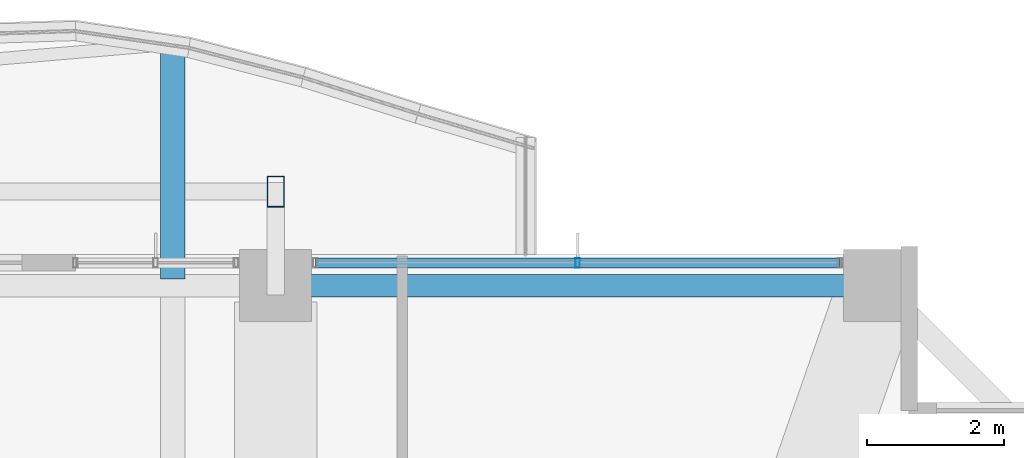
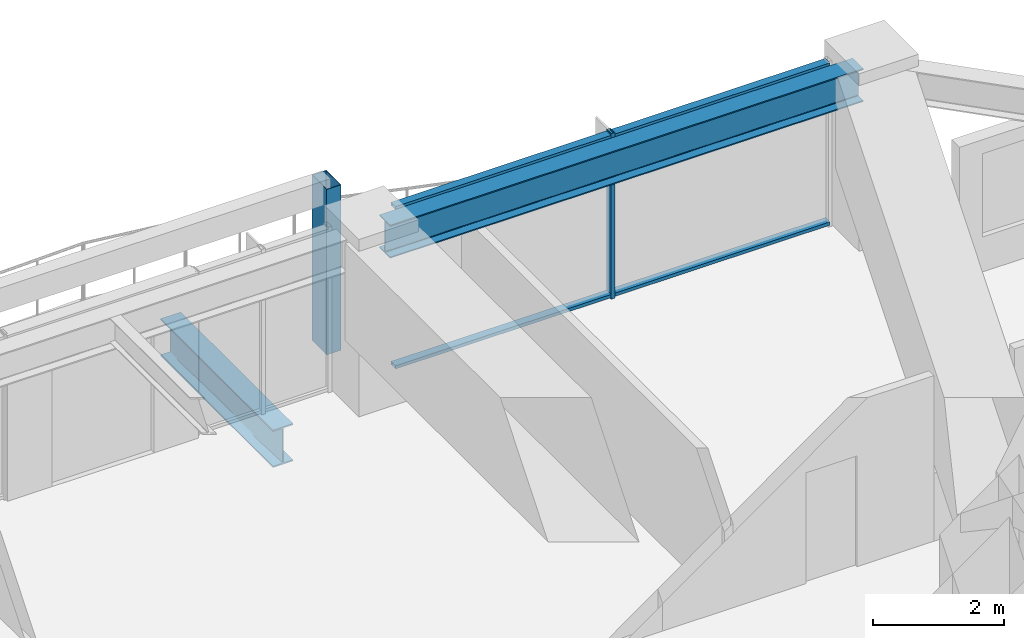
# One storey, part 24 of 39: 4 members, 2 beams, 1 element without a shape of its own.
"""IFC4 building model written with IfcOpenShell, lengths in metres."""

import ifcopenshell
import ifcopenshell.guid

model = None  # the IFC model being written
_history = None  # IfcOwnerHistory: only IFC2X3 demands one
_inside = {}  # id of a spatial element -> (the spatial element, [elements in it])
_under = {}  # id of a project, library or spatial element -> (it, [spatial elements below it])
_declared = {}  # id of a project -> (the project, [libraries it declares])
_typed = {}  # id of a type object -> (the type object, [elements of that type])
_made_of = {}  # id of a material, layer set ... -> (it, [elements and type objects made of it])


def new_model(schema):
    """Start an empty IFC model of exactly this schema.

    Asked for "IFC4X3", IfcOpenShell would pick the latest addendum, in which some entities
    have other attributes; the version numbers below select the first issue.
    IFC2X3 requires an IfcOwnerHistory on every rooted entity: one is made here for all.
    """
    global model, _history
    if schema == "IFC4X3":
        model = ifcopenshell.file(schema_version=(4, 3, 0, 0))
    else:
        model = ifcopenshell.file(schema=schema)
    _inside.clear()
    _under.clear()
    _declared.clear()
    _typed.clear()
    _made_of.clear()
    _history = None
    if model.schema == "IFC2X3":
        org = make("IfcOrganization", Name="unknown")
        user = make(
            "IfcPersonAndOrganization",
            ThePerson=make("IfcPerson", FamilyName="unknown"),
            TheOrganization=org,
        )
        app = make(
            "IfcApplication",
            ApplicationDeveloper=org,
            Version="unknown",
            ApplicationFullName="unknown",
            ApplicationIdentifier="unknown",
        )
        _history = make(
            "IfcOwnerHistory",
            OwningUser=user,
            OwningApplication=app,
            ChangeAction="ADDED",
            CreationDate=0,
        )
    return model


def make(cls, **values):
    """One entity of the class cls with the attributes given. An attribute that is None is left unset."""
    return model.create_entity(
        cls, **{name: value for name, value in values.items() if value is not None}
    )


def rooted(cls, **values):
    """An entity with a GlobalId (a new one), such as an element, a storey or a relation."""
    return make(cls, GlobalId=ifcopenshell.guid.new(), OwnerHistory=_history, **values)


def si_unit(unit_type, name, prefix=None):
    """IfcSIUnit, for example si_unit("LENGTHUNIT", "METRE", prefix="MILLI")."""
    return make("IfcSIUnit", UnitType=unit_type, Prefix=prefix, Name=name)


def assignment(units):
    """IfcUnitAssignment: the units of a project."""
    return None if units is None else make("IfcUnitAssignment", Units=units)


def point(xyz):
    """IfcCartesianPoint."""
    return None if xyz is None else make("IfcCartesianPoint", Coordinates=xyz)


def direction(xyz):
    """IfcDirection."""
    return None if xyz is None else make("IfcDirection", DirectionRatios=xyz)


def frame(location, z_axis=None, x_axis=None):
    """IfcAxis2Placement3D, a coordinate frame: its origin and axes. An axis left out is left unset."""
    return make(
        "IfcAxis2Placement3D",
        Location=point(location),
        Axis=direction(z_axis),
        RefDirection=direction(x_axis),
    )


def frame_2d(location, x_axis=None):
    """IfcAxis2Placement2D, a coordinate frame in the plane: its origin and x axis."""
    return make(
        "IfcAxis2Placement2D", Location=point(location), RefDirection=direction(x_axis)
    )


def origin():
    """The frame at (0, 0, 0) with its axes left unset."""
    return frame((0.0, 0.0, 0.0))


def origin_2d():
    """The frame at (0, 0) in the plane with its x axis left unset."""
    return frame_2d((0.0, 0.0))


def place(relative_to, where):
    """IfcLocalPlacement: puts the frame where relative to a parent placement (None: the world)."""
    return make(
        "IfcLocalPlacement", PlacementRelTo=relative_to, RelativePlacement=where
    )


def context(
    kind, dimensions, precision=None, world=None, true_north=None, identifier=None
):
    """IfcGeometricRepresentationContext, for example the 3D "Model" context."""
    return make(
        "IfcGeometricRepresentationContext",
        ContextIdentifier=identifier,
        ContextType=kind,
        CoordinateSpaceDimension=dimensions,
        Precision=precision,
        WorldCoordinateSystem=world,
        TrueNorth=true_north,
    )


def subcontext(parent, identifier, kind, view, scale=None):
    """IfcGeometricRepresentationSubContext, for example "Body" below "Model"."""
    return make(
        "IfcGeometricRepresentationSubContext",
        ContextIdentifier=identifier,
        ContextType=kind,
        ParentContext=parent,
        TargetScale=scale,
        TargetView=view,
    )


def project(units=None, contexts=None):
    """IfcProject with its units and contexts."""
    return rooted(
        "IfcProject",
        Name="project",
        RepresentationContexts=contexts,
        UnitsInContext=assignment(units),
    )


def spatial(cls, under=None, at=None, **own):
    """A site, building, storey or space (cls), placed at a placement, below another one or the project."""
    s = rooted(cls, ObjectPlacement=at, **own)
    if under is not None:
        _under.setdefault(under.id(), (under, []))[1].append(s)
    return s


def profile(cls, at=None, kind="AREA", **sizes):
    """A parametric profile (cls). Its sizes go by their IFC names, for example OverallWidth=200.0."""
    return make(cls, ProfileType=kind, Position=at, **sizes)


def hollow_rectangle(**sizes):
    """IfcRectangleHollowProfileDef."""
    return profile("IfcRectangleHollowProfileDef", **sizes)


def i_section(**sizes):
    """IfcIShapeProfileDef."""
    return profile("IfcIShapeProfileDef", **sizes)


def extrude(swept, where, along, depth):
    """IfcExtrudedAreaSolid: the profile swept, set in the frame where, extruded along a direction by depth."""
    return make(
        "IfcExtrudedAreaSolid",
        SweptArea=swept,
        Position=where,
        ExtrudedDirection=direction(along),
        Depth=depth,
    )


def shape(context_of_items, identifier, shape_type, items):
    """IfcShapeRepresentation: the items that make up one representation, for example the "Body"."""
    return make(
        "IfcShapeRepresentation",
        ContextOfItems=context_of_items,
        RepresentationIdentifier=identifier,
        RepresentationType=shape_type,
        Items=items,
    )


def material(Name=None, Category=None):
    """IfcMaterial."""
    return make("IfcMaterial", Name=Name, Category=Category)


def material_profile(
    of_material, cross_section, Name=None, Category=None, Priority=None
):
    """IfcMaterialProfile: a cross section and its material."""
    return make(
        "IfcMaterialProfile",
        Name=Name,
        Material=of_material,
        Profile=cross_section,
        Priority=Priority,
        Category=Category,
    )


def profile_set(profiles, Name=None, composite=None):
    """IfcMaterialProfileSet."""
    return make(
        "IfcMaterialProfileSet",
        Name=Name,
        MaterialProfiles=profiles,
        CompositeProfile=composite,
    )


def made_of(thing, what):
    """Note that an element or type object is made of a material, layer set ...; save() writes the relation."""
    if what is not None:
        _made_of.setdefault(what.id(), (what, []))[1].append(thing)
    return thing


def type_object(cls, material=None, **own):
    """A type object (cls), such as IfcWallType, which elements share."""
    return made_of(rooted(cls, **own), material)


def element(
    cls,
    number,
    at=None,
    inside=None,
    cuts=None,
    type_object=None,
    material=None,
    context=None,
    identifier="Body",
    shape_type=None,
    held_by="IfcProductDefinitionShape",
    body=None,
    shapes=None,
    **own,
):
    """One element of the class cls, such as IfcWall. Its Tag is "e" and its number.

    at: its placement. inside: the storey or other place that contains it. cuts: it is an
    opening in that element (IfcRelVoidsElement). A single representation is given by context,
    identifier, shape_type and body (its items); several are given by shapes. held_by: the class
    of the entity that holds the representations. save() writes the other relations.
    """
    e = rooted(cls, Tag="e%d" % number, ObjectPlacement=at, **own)
    if body is not None:
        shapes = [shape(context, identifier, shape_type, body)]
    if shapes is not None:
        e.Representation = make(held_by, Representations=shapes)
    if inside is not None:
        _inside.setdefault(inside.id(), (inside, []))[1].append(e)
    if cuts is not None:
        rooted(
            "IfcRelVoidsElement", RelatingBuildingElement=cuts, RelatedOpeningElement=e
        )
    if type_object is not None:
        _typed.setdefault(type_object.id(), (type_object, []))[1].append(e)
    return made_of(e, material)


def aggregate(whole, parts):
    """IfcRelAggregates: a whole, such as a stair, and the parts it consists of."""
    return rooted("IfcRelAggregates", RelatingObject=whole, RelatedObjects=parts)


def save(model, path):
    """Write the relations noted so far, then the file.

    IfcRelAggregates (storeys below a building ...), IfcRelContainedInSpatialStructure (elements
    in a storey), IfcRelDefinesByType, IfcRelAssociatesMaterial and IfcRelDeclares: one each for
    every whole, place, type object, material and project.
    """
    for whole, parts in _under.values():
        aggregate(whole, parts)
    for where, things in _inside.values():
        rooted(
            "IfcRelContainedInSpatialStructure",
            RelatedElements=things,
            RelatingStructure=where,
        )
    for kind, things in _typed.values():
        rooted("IfcRelDefinesByType", RelatedObjects=things, RelatingType=kind)
    for what, things in _made_of.values():
        rooted("IfcRelAssociatesMaterial", RelatedObjects=things, RelatingMaterial=what)
    for by, libraries in _declared.values():
        rooted("IfcRelDeclares", RelatingContext=by, RelatedDefinitions=libraries)
    model.write(path)


model = new_model("IFC4")

# Units and contexts
model_context = context("Model", 3, precision=1e-05, world=origin(), true_north=direction((0.0, 1.0)))
body_context = subcontext(model_context, "Body", "Model", "MODEL_VIEW")
ifc_project = project(units=[si_unit("LENGTHUNIT", "METRE"), si_unit("AREAUNIT", "SQUARE_METRE"), si_unit("VOLUMEUNIT", "CUBIC_METRE"), si_unit("PLANEANGLEUNIT", "RADIAN"), si_unit("MASSUNIT", "GRAM", prefix="KILO")], contexts=[model_context])

# Site, building, storey
site_placement = place(None, origin())
site = spatial("IfcSite", under=ifc_project, at=site_placement, CompositionType="ELEMENT")
building_placement = place(site_placement, origin())
building = spatial("IfcBuilding", under=site, at=building_placement, Name="Kolvaren Belvedere", CompositionType="ELEMENT")
storey_placement = place(building_placement, frame((0.0, 0.0, 85.39990234375)))
storey = spatial("IfcBuildingStorey", under=building, at=storey_placement, Name="L24", CompositionType="ELEMENT", Elevation=85.39990234375)

# Beams
ifc_material_1 = material(Name="Structural steel ASTM A992 Grade 50", Category="steel")
ifc_material_profile_1 = material_profile(ifc_material_1, i_section(OverallWidth=0.35498046875, OverallDepth=0.696044921875, WebThickness=0.015380859375, FlangeThickness=0.02490234375, FilletRadius=0.02197265625, at=origin_2d()), Name="W27X146")
ifc_profile_set_1 = profile_set([ifc_material_profile_1], Name="Structural steel ASTM A992 Grade 50")
beam_type_1 = type_object("IfcBeamType", Name="BM-CANT-BAL", PredefinedType="BEAM", material=ifc_profile_set_1)
beam_1_placement = place(storey_placement, frame((3.10009765625, 20.044921875, -0.56787109375), z_axis=(0.0, 1.0, 0.0), x_axis=(-1.0, 0.0, 0.0)))
element("IfcBeam", 1, at=beam_1_placement, inside=storey, type_object=beam_type_1, Name="L24 Planted Balcony Cantilever BAL-N-2", PredefinedType="BEAM", context=body_context, shape_type="SweptSolid", body=[
    extrude(i_section(OverallWidth=0.35498046875, OverallDepth=0.696044921875, WebThickness=0.015380859375, FlangeThickness=0.02490234375, FilletRadius=0.02197265625, at=origin_2d()), origin(), (0.0, 0.0, 1.0), 3.425537109375),
])
ifc_material_2 = material(Name="Structural steel ASTM A992 Grade 50", Category="steel")
ifc_material_profile_2 = material_profile(ifc_material_2, i_section(OverallWidth=0.324951171875, OverallDepth=0.615966796875, WebThickness=0.013916015625, FlangeThickness=0.021484375, FilletRadius=0.02001953125, at=origin_2d()), Name="W24X117")
ifc_profile_set_2 = profile_set([ifc_material_profile_2], Name="Structural steel ASTM A992 Grade 50")
beam_type_2 = type_object("IfcBeamType", Name="BM-SPAN-W24X117", PredefinedType="SPANDREL", material=ifc_profile_set_2)
beam_2_placement = place(storey_placement, frame((13.163818359375, 19.949951171875, 2.772216796875), z_axis=(-1.0, 0.0, 0.0), x_axis=(0.0, -1.0, 0.0)))
element("IfcBeam", 2, at=beam_2_placement, inside=storey, type_object=beam_type_2, Name="L24 Perimeter Spandrel N4-N3", PredefinedType="SPANDREL", context=body_context, shape_type="SweptSolid", body=[
    extrude(i_section(OverallWidth=0.324951171875, OverallDepth=0.615966796875, WebThickness=0.013916015625, FlangeThickness=0.021484375, FilletRadius=0.02001953125, at=origin_2d()), origin(), (0.0, 0.0, 1.0), 8.32763671875),
])

# Curtain wall, members
ifc_material_3 = material(Name="Anodised pale-metal aluminium AA 6063-T6", Category="aluminium")
curtain_wall_type = type_object("IfcCurtainWallType", Name="CW-Z2-MID", PredefinedType="NOTDEFINED", material=ifc_material_3)
curtain_wall_placement = place(storey_placement, origin())
curtain_wall = element("IfcCurtainWall", 3, at=curtain_wall_placement, inside=storey, type_object=curtain_wall_type, Name="L24 Unitised Curtain Wall FCW-L24-N2-B2", PredefinedType="NOTDEFINED")
ifc_material_4 = material(Name="Anodised pale-metal aluminium AA 6063-T6", Category="aluminium")
ifc_material_profile_3 = material_profile(ifc_material_4, hollow_rectangle(XDim=0.06494140625, YDim=0.139892578125, WallThickness=0.00390625, at=origin_2d()), Name="ALU-MUL-140X65")
ifc_profile_set_3 = profile_set([ifc_material_profile_3], Name="Anodised pale-metal aluminium AA 6063-T6")
member_type_1 = type_object("IfcMemberType", Name="CW-MUL-140", PredefinedType="MULLION", material=ifc_profile_set_3)
member_1_placement = place(storey_placement, frame((9.0, 20.280029296875, 0.0), z_axis=(0.0, 0.0, 1.0), x_axis=(1.0, 0.0, 0.0)))
member_1 = element("IfcMember", 4, at=member_1_placement, type_object=member_type_1, Name="FCW-L24-N2-B2 Unitised Mullion 2", PredefinedType="MULLION", context=body_context, shape_type="SweptSolid", body=[
    extrude(hollow_rectangle(XDim=0.06494140625, YDim=0.139892578125, WallThickness=0.00390625, at=origin_2d()), origin(), (0.0, 0.0, 1.0), 3.080078125),
])
ifc_material_5 = material(Name="Anodised pale-metal aluminium AA 6063-T6", Category="aluminium")
ifc_material_profile_4 = material_profile(ifc_material_5, hollow_rectangle(XDim=0.06005859375, YDim=0.139892578125, WallThickness=0.00390625, at=origin_2d()), Name="ALU-TRN-140X60")
ifc_profile_set_4 = profile_set([ifc_material_profile_4], Name="Anodised pale-metal aluminium AA 6063-T6")
member_type_2 = type_object("IfcMemberType", Name="CW-TRN-140", PredefinedType="USERDEFINED", material=ifc_profile_set_4)
member_2_placement = place(storey_placement, frame((5.177490234375, 20.280029296875, 0.06005859375), z_axis=(1.0, 0.0, 0.0), x_axis=(0.0, 0.0, 1.0)))
member_2 = element("IfcMember", 5, at=member_2_placement, type_object=member_type_2, Name="FCW-L24-N2-B2 Sill Transom", ObjectType="TRANSOM", PredefinedType="USERDEFINED", context=body_context, shape_type="SweptSolid", body=[
    extrude(hollow_rectangle(XDim=0.06005859375, YDim=0.139892578125, WallThickness=0.00390625, at=origin_2d()), origin(), (0.0, 0.0, 1.0), 7.64501953125),
])
member_3_placement = place(storey_placement, frame((5.177490234375, 20.280029296875, 3.02001953125), z_axis=(1.0, 0.0, 0.0), x_axis=(0.0, 0.0, 1.0)))
member_3 = element("IfcMember", 6, at=member_3_placement, type_object=member_type_2, Name="FCW-L24-N2-B2 Head Transom", ObjectType="TRANSOM", PredefinedType="USERDEFINED", context=body_context, shape_type="SweptSolid", body=[
    extrude(hollow_rectangle(XDim=0.06005859375, YDim=0.139892578125, WallThickness=0.00390625, at=origin_2d()), origin(), (0.0, 0.0, 1.0), 7.64501953125),
])
aggregate(curtain_wall, [member_1, member_2, member_3])

# Member
ifc_material_6 = material(Name="Anodised pale-metal aluminium AA 6063-T6", Category="aluminium")
ifc_material_profile_5 = material_profile(ifc_material_6, hollow_rectangle(XDim=0.25, YDim=0.449951171875, WallThickness=0.008544921875, at=origin_2d()), Name="ALU-PF-450X250")
ifc_profile_set_5 = profile_set([ifc_material_profile_5], Name="Anodised pale-metal aluminium AA 6063-T6")
member_type_3 = type_object("IfcMemberType", Name="PF-FRAME-450", PredefinedType="USERDEFINED", material=ifc_profile_set_5)
member_4_placement = place(storey_placement, frame((4.60009765625, 21.320068359375, 0.0), z_axis=(0.0, 0.0, 1.0), x_axis=(1.0, 0.0, 0.0)))
element("IfcMember", 7, at=member_4_placement, inside=storey, type_object=member_type_3, Name="L24 Outboard Picture-Frame Vertical N2", ObjectType="PICTURE FRAME FIN", PredefinedType="USERDEFINED", context=body_context, shape_type="SweptSolid", body=[
    extrude(hollow_rectangle(XDim=0.25, YDim=0.449951171875, WallThickness=0.008544921875, at=origin_2d()), origin(), (0.0, 0.0, 1.0), 3.080078125),
])

save(model, "model.ifc")
